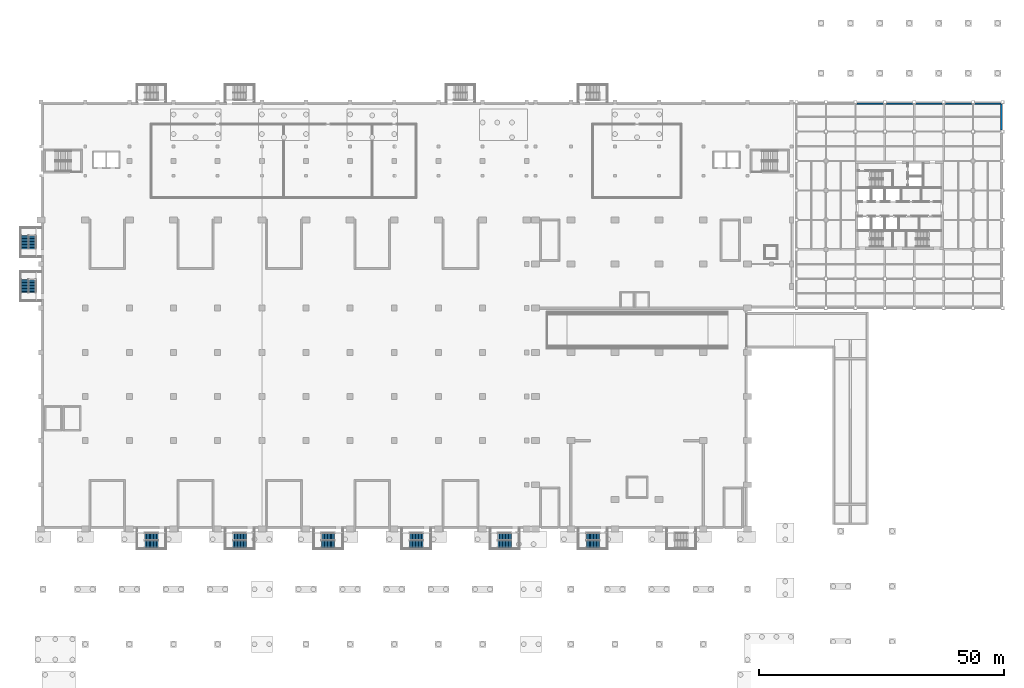
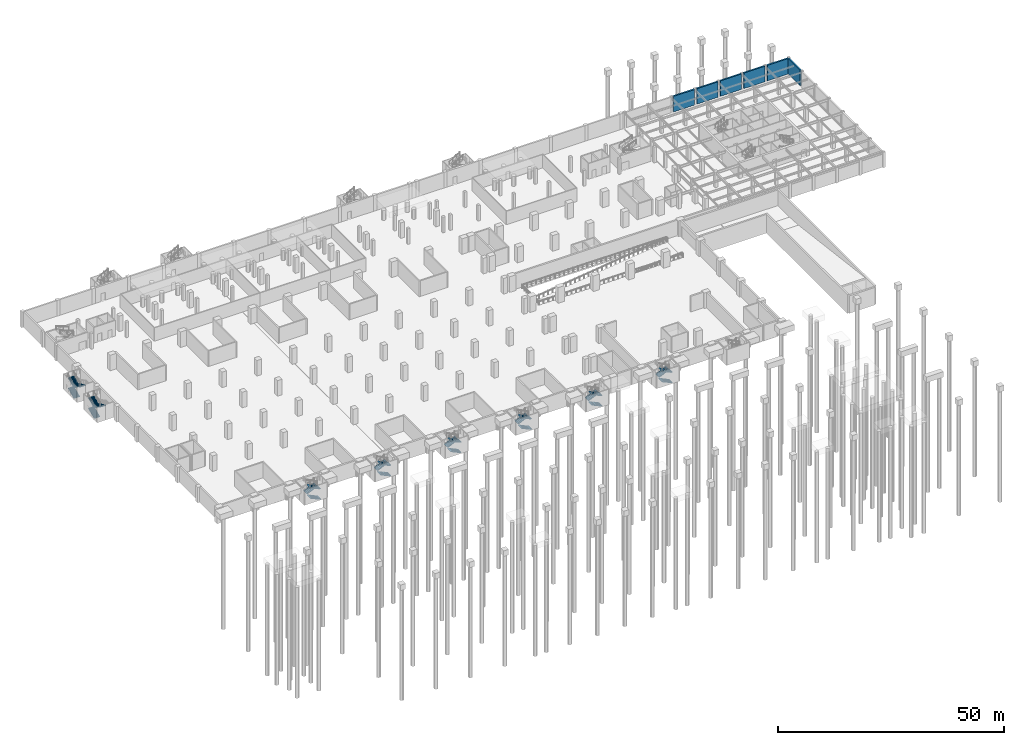
# One storey, part 20 of 27: 24 stair flights, 6 walls, 8 elements without a shape of their own.
"""IFC4 building model written with IfcOpenShell, lengths in metres."""

from ifc_helpers import new_model, si_unit, direction, frame, frame_2d, origin, place, context, subcontext, project, spatial, polyline, rectangle, outline, extrude, material, layer, layer_set, type_object, element, aggregate, save


model = new_model("IFC4")

# Units and contexts
model_context = context("Model", 3, precision=1e-05, world=origin(), true_north=direction((0.0, 1.0)))
body_context = subcontext(model_context, "Body", "Model", "MODEL_VIEW")
ifc_project = project(units=[si_unit("LENGTHUNIT", "METRE"), si_unit("AREAUNIT", "SQUARE_METRE"), si_unit("VOLUMEUNIT", "CUBIC_METRE"), si_unit("PLANEANGLEUNIT", "RADIAN"), si_unit("MASSUNIT", "GRAM", prefix="KILO")], contexts=[model_context])

# Site, building, storey
site_placement = place(None, origin())
site = spatial("IfcSite", under=ifc_project, at=site_placement, CompositionType="ELEMENT")
building_placement = place(site_placement, origin())
building = spatial("IfcBuilding", under=site, at=building_placement, Name="Aravalli Gate Trade Fair Centre", CompositionType="ELEMENT")
storey_placement = place(building_placement, frame((0.0, 0.0, -4.199951171875)))
storey = spatial("IfcBuildingStorey", under=building, at=storey_placement, Name="B1", CompositionType="ELEMENT", Elevation=-4.199951171875)

# Walls
ifc_material = material(Name="Concrete M40", Category="concrete")
ifc_layer = layer(ifc_material, 0.39990234375)
ifc_layer_set = layer_set([ifc_layer], Name="Concrete M40")
wall_type = type_object("IfcWallType", Name="Basement retaining wall 400", PredefinedType="SOLIDWALL", material=ifc_layer_set)
wall_placement = place(storey_placement, frame((201.800048828125, 127.300048828125, 0.0), z_axis=(0.0, 0.0, 1.0), x_axis=(0.0, 1.0, 0.0)))
element("IfcWall", 1, at=wall_placement, inside=storey, type_object=wall_type, Name="Retaining wall E207 B1", PredefinedType="SOLIDWALL", context=body_context, shape_type="SweptSolid", body=[
    extrude(rectangle(XDim=5.300048828125, YDim=0.39990234375, at=frame_2d((2.64990234375, 0.0))), origin(), (0.0, 0.0, 1.0), 4.199951171875),
])
for number, where, z_axis, x_axis, name in (
    (2, (172.300048828125, 132.800048828125, 0.0), (0.0, 0.0, 1.0), (1.0, 0.0, 0.0), "Retaining wall N21 B1"),
    (3, (178.300048828125, 132.800048828125, 0.0), (0.0, 0.0, 1.0), (1.0, 0.0, 0.0), "Retaining wall N22 B1"),
    (4, (184.300048828125, 132.800048828125, 0.0), (0.0, 0.0, 1.0), (1.0, 0.0, 0.0), "Retaining wall N23 B1"),
    (5, (190.300048828125, 132.800048828125, 0.0), (0.0, 0.0, 1.0), (1.0, 0.0, 0.0), "Retaining wall N24 B1"),
    (6, (196.300048828125, 132.800048828125, 0.0), (0.0, 0.0, 1.0), (1.0, 0.0, 0.0), "Retaining wall N25 B1"),
):
    element("IfcWall", number, at=place(storey_placement, frame(where, z_axis=z_axis, x_axis=x_axis)), inside=storey, type_object=wall_type, Name=name, PredefinedType="SOLIDWALL", context=body_context, shape_type="SweptSolid", body=[
        extrude(rectangle(XDim=5.39990234375, YDim=0.39990234375, at=frame_2d((2.699951171875, 0.0))), origin(), (0.0, 0.0, 1.0), 4.199951171875),
    ])

# Stair, stair flights
stair_type = type_object("IfcStairType", Name="Basement exit stair 1500", PredefinedType="HALF_TURN_STAIR", material=ifc_material)
stair_1_placement = place(storey_placement, origin())
stair_1 = element("IfcStair", 7, at=stair_1_placement, inside=storey, type_object=stair_type, Name="Basement exit stair W1 B1 to L00", PredefinedType="HALF_TURN_STAIR")
stair_flight_type = type_object("IfcStairFlightType", Name="Basement exit stair flight 1500", PredefinedType="STRAIGHT", material=ifc_material)
stair_flight_1_placement = place(storey_placement, frame((2.699951171875, 94.14990234375, 0.0), z_axis=(0.0, 0.0, 1.0), x_axis=(0.0, 1.0, 0.0)))
stair_flight_1 = element("IfcStairFlight", 8, at=stair_flight_1_placement, type_object=stair_flight_type, Name="BS1 flight 1", NumberOfRisers=10, NumberOfTreads=9, PredefinedType="STRAIGHT", RiserHeight=0.14, TreadLength=0.3, context=body_context, shape_type="SweptSolid", body=[
    extrude(outline(polyline([(0.0, 0.0), (0.0, 0.139892578125), (0.300048828125, 0.139892578125), (0.300048828125, 0.280029296875), (0.60009765625, 0.280029296875), (0.60009765625, 0.419921875), (0.89990234375, 0.419921875), (0.89990234375, 0.56005859375), (1.199951171875, 0.56005859375), (1.199951171875, 0.699951171875), (1.5, 0.699951171875), (1.5, 0.840087890625), (1.800048828125, 0.840087890625), (1.800048828125, 0.97998046875), (2.10009765625, 0.97998046875), (2.10009765625, 1.1201171875), (2.39990234375, 1.1201171875), (2.39990234375, 1.260009765625), (2.699951171875, 1.260009765625), (2.699951171875, 1.39990234375), (2.699951171875, 1.094482421875), (0.3544921875, 0.0), (0.0, 0.0)])), frame((0.0, 0.75, 0.0), z_axis=(0.0, -1.0, 0.0), x_axis=(1.0, 0.0, 0.0)), (0.0, 0.0, 1.0), 1.5),
])
stair_flight_2_placement = place(storey_placement, frame((4.199951171875, 96.85009765625, 1.39990234375), z_axis=(0.0, 0.0, 1.0), x_axis=(0.0, -1.0, 0.0)))
stair_flight_2 = element("IfcStairFlight", 9, at=stair_flight_2_placement, type_object=stair_flight_type, Name="BS1 flight 2", NumberOfRisers=10, NumberOfTreads=9, PredefinedType="STRAIGHT", RiserHeight=0.14, TreadLength=0.3, context=body_context, shape_type="SweptSolid", body=[
    extrude(outline(polyline([(0.0, 0.0), (0.0, 0.139892578125), (0.300048828125, 0.139892578125), (0.300048828125, 0.280029296875), (0.60009765625, 0.280029296875), (0.60009765625, 0.419921875), (0.89990234375, 0.419921875), (0.89990234375, 0.56005859375), (1.199951171875, 0.56005859375), (1.199951171875, 0.699951171875), (1.5, 0.699951171875), (1.5, 0.840087890625), (1.800048828125, 0.840087890625), (1.800048828125, 0.97998046875), (2.10009765625, 0.97998046875), (2.10009765625, 1.1201171875), (2.39990234375, 1.1201171875), (2.39990234375, 1.260009765625), (2.699951171875, 1.260009765625), (2.699951171875, 1.39990234375), (2.699951171875, 1.094482421875), (0.3544921875, 0.0), (0.0, 0.0)])), frame((0.0, 0.75, 0.0), z_axis=(0.0, -1.0, 0.0), x_axis=(1.0, 0.0, 0.0)), (0.0, 0.0, 1.0), 1.5),
])
stair_flight_3_placement = place(storey_placement, frame((2.699951171875, 94.14990234375, 2.800048828125), z_axis=(0.0, 0.0, 1.0), x_axis=(0.0, 1.0, 0.0)))
stair_flight_3 = element("IfcStairFlight", 10, at=stair_flight_3_placement, type_object=stair_flight_type, Name="BS1 flight 3", NumberOfRisers=10, NumberOfTreads=9, PredefinedType="STRAIGHT", RiserHeight=0.14, TreadLength=0.3, context=body_context, shape_type="SweptSolid", body=[
    extrude(outline(polyline([(0.0, 0.0), (0.0, 0.139892578125), (0.300048828125, 0.139892578125), (0.300048828125, 0.280029296875), (0.60009765625, 0.280029296875), (0.60009765625, 0.419921875), (0.89990234375, 0.419921875), (0.89990234375, 0.56005859375), (1.199951171875, 0.56005859375), (1.199951171875, 0.699951171875), (1.5, 0.699951171875), (1.5, 0.840087890625), (1.800048828125, 0.840087890625), (1.800048828125, 0.97998046875), (2.10009765625, 0.97998046875), (2.10009765625, 1.1201171875), (2.39990234375, 1.1201171875), (2.39990234375, 1.260009765625), (2.699951171875, 1.260009765625), (2.699951171875, 1.39990234375), (2.699951171875, 1.094482421875), (0.3544921875, 0.0), (0.0, 0.0)])), frame((0.0, 0.75, 0.0), z_axis=(0.0, -1.0, 0.0), x_axis=(1.0, 0.0, 0.0)), (0.0, 0.0, 1.0), 1.5),
])
aggregate(stair_1, [stair_flight_1, stair_flight_2, stair_flight_3])

stair_2_placement = place(storey_placement, origin())
stair_2 = element("IfcStair", 11, at=stair_2_placement, inside=storey, type_object=stair_type, Name="Basement exit stair W2 B1 to L00", PredefinedType="HALF_TURN_STAIR")
stair_flight_4_placement = place(storey_placement, frame((2.699951171875, 103.10009765625, 0.0), z_axis=(0.0, 0.0, 1.0), x_axis=(0.0, 1.0, 0.0)))
stair_flight_4 = element("IfcStairFlight", 12, at=stair_flight_4_placement, type_object=stair_flight_type, Name="BS1 flight 1", NumberOfRisers=10, NumberOfTreads=9, PredefinedType="STRAIGHT", RiserHeight=0.14, TreadLength=0.3, context=body_context, shape_type="SweptSolid", body=[
    extrude(outline(polyline([(0.0, 0.0), (0.0, 0.139892578125), (0.300048828125, 0.139892578125), (0.300048828125, 0.280029296875), (0.60009765625, 0.280029296875), (0.60009765625, 0.419921875), (0.89990234375, 0.419921875), (0.89990234375, 0.56005859375), (1.199951171875, 0.56005859375), (1.199951171875, 0.699951171875), (1.5, 0.699951171875), (1.5, 0.840087890625), (1.800048828125, 0.840087890625), (1.800048828125, 0.97998046875), (2.10009765625, 0.97998046875), (2.10009765625, 1.1201171875), (2.39990234375, 1.1201171875), (2.39990234375, 1.260009765625), (2.699951171875, 1.260009765625), (2.699951171875, 1.39990234375), (2.699951171875, 1.094482421875), (0.3544921875, 0.0), (0.0, 0.0)])), frame((0.0, 0.75, 0.0), z_axis=(0.0, -1.0, 0.0), x_axis=(1.0, 0.0, 0.0)), (0.0, 0.0, 1.0), 1.5),
])
stair_flight_5_placement = place(storey_placement, frame((4.199951171875, 105.800048828125, 1.39990234375), z_axis=(0.0, 0.0, 1.0), x_axis=(0.0, -1.0, 0.0)))
stair_flight_5 = element("IfcStairFlight", 13, at=stair_flight_5_placement, type_object=stair_flight_type, Name="BS1 flight 2", NumberOfRisers=10, NumberOfTreads=9, PredefinedType="STRAIGHT", RiserHeight=0.14, TreadLength=0.3, context=body_context, shape_type="SweptSolid", body=[
    extrude(outline(polyline([(0.0, 0.0), (0.0, 0.139892578125), (0.300048828125, 0.139892578125), (0.300048828125, 0.280029296875), (0.60009765625, 0.280029296875), (0.60009765625, 0.419921875), (0.89990234375, 0.419921875), (0.89990234375, 0.56005859375), (1.199951171875, 0.56005859375), (1.199951171875, 0.699951171875), (1.5, 0.699951171875), (1.5, 0.840087890625), (1.800048828125, 0.840087890625), (1.800048828125, 0.97998046875), (2.10009765625, 0.97998046875), (2.10009765625, 1.1201171875), (2.39990234375, 1.1201171875), (2.39990234375, 1.260009765625), (2.699951171875, 1.260009765625), (2.699951171875, 1.39990234375), (2.699951171875, 1.094482421875), (0.3544921875, 0.0), (0.0, 0.0)])), frame((0.0, 0.75, 0.0), z_axis=(0.0, -1.0, 0.0), x_axis=(1.0, 0.0, 0.0)), (0.0, 0.0, 1.0), 1.5),
])
stair_flight_6_placement = place(storey_placement, frame((2.699951171875, 103.10009765625, 2.800048828125), z_axis=(0.0, 0.0, 1.0), x_axis=(0.0, 1.0, 0.0)))
stair_flight_6 = element("IfcStairFlight", 14, at=stair_flight_6_placement, type_object=stair_flight_type, Name="BS1 flight 3", NumberOfRisers=10, NumberOfTreads=9, PredefinedType="STRAIGHT", RiserHeight=0.14, TreadLength=0.3, context=body_context, shape_type="SweptSolid", body=[
    extrude(outline(polyline([(0.0, 0.0), (0.0, 0.139892578125), (0.300048828125, 0.139892578125), (0.300048828125, 0.280029296875), (0.60009765625, 0.280029296875), (0.60009765625, 0.419921875), (0.89990234375, 0.419921875), (0.89990234375, 0.56005859375), (1.199951171875, 0.56005859375), (1.199951171875, 0.699951171875), (1.5, 0.699951171875), (1.5, 0.840087890625), (1.800048828125, 0.840087890625), (1.800048828125, 0.97998046875), (2.10009765625, 0.97998046875), (2.10009765625, 1.1201171875), (2.39990234375, 1.1201171875), (2.39990234375, 1.260009765625), (2.699951171875, 1.260009765625), (2.699951171875, 1.39990234375), (2.699951171875, 1.094482421875), (0.3544921875, 0.0), (0.0, 0.0)])), frame((0.0, 0.75, 0.0), z_axis=(0.0, -1.0, 0.0), x_axis=(1.0, 0.0, 0.0)), (0.0, 0.0, 1.0), 1.5),
])
aggregate(stair_2, [stair_flight_4, stair_flight_5, stair_flight_6])

stair_3_placement = place(storey_placement, origin())
stair_3 = element("IfcStair", 15, at=stair_3_placement, inside=storey, type_object=stair_type, Name="Basement exit stair S1 B1 to L00", PredefinedType="HALF_TURN_STAIR")
stair_flight_7_placement = place(storey_placement, frame((29.85009765625, 42.89990234375, 0.0), z_axis=(0.0, 0.0, 1.0), x_axis=(-1.0, 0.0, 0.0)))
stair_flight_7 = element("IfcStairFlight", 16, at=stair_flight_7_placement, type_object=stair_flight_type, Name="BS1 flight 1", NumberOfRisers=10, NumberOfTreads=9, PredefinedType="STRAIGHT", RiserHeight=0.14, TreadLength=0.3, context=body_context, shape_type="SweptSolid", body=[
    extrude(outline(polyline([(0.0, 0.0), (0.0, 0.139892578125), (0.300048828125, 0.139892578125), (0.300048828125, 0.280029296875), (0.60009765625, 0.280029296875), (0.60009765625, 0.419921875), (0.89990234375, 0.419921875), (0.89990234375, 0.56005859375), (1.199951171875, 0.56005859375), (1.199951171875, 0.699951171875), (1.5, 0.699951171875), (1.5, 0.840087890625), (1.800048828125, 0.840087890625), (1.800048828125, 0.97998046875), (2.10009765625, 0.97998046875), (2.10009765625, 1.1201171875), (2.39990234375, 1.1201171875), (2.39990234375, 1.260009765625), (2.699951171875, 1.260009765625), (2.699951171875, 1.39990234375), (2.699951171875, 1.094482421875), (0.3544921875, 0.0), (0.0, 0.0)])), frame((0.0, 0.75, 0.0), z_axis=(0.0, -1.0, 0.0), x_axis=(1.0, 0.0, 0.0)), (0.0, 0.0, 1.0), 1.5),
])
stair_flight_8_placement = place(storey_placement, frame((27.14990234375, 44.39990234375, 1.39990234375), z_axis=(0.0, 0.0, 1.0), x_axis=(1.0, 0.0, 0.0)))
stair_flight_8 = element("IfcStairFlight", 17, at=stair_flight_8_placement, type_object=stair_flight_type, Name="BS1 flight 2", NumberOfRisers=10, NumberOfTreads=9, PredefinedType="STRAIGHT", RiserHeight=0.14, TreadLength=0.3, context=body_context, shape_type="SweptSolid", body=[
    extrude(outline(polyline([(0.0, 0.0), (0.0, 0.139892578125), (0.300048828125, 0.139892578125), (0.300048828125, 0.280029296875), (0.60009765625, 0.280029296875), (0.60009765625, 0.419921875), (0.89990234375, 0.419921875), (0.89990234375, 0.56005859375), (1.199951171875, 0.56005859375), (1.199951171875, 0.699951171875), (1.5, 0.699951171875), (1.5, 0.840087890625), (1.800048828125, 0.840087890625), (1.800048828125, 0.97998046875), (2.10009765625, 0.97998046875), (2.10009765625, 1.1201171875), (2.39990234375, 1.1201171875), (2.39990234375, 1.260009765625), (2.699951171875, 1.260009765625), (2.699951171875, 1.39990234375), (2.699951171875, 1.094482421875), (0.3544921875, 0.0), (0.0, 0.0)])), frame((0.0, 0.75, 0.0), z_axis=(0.0, -1.0, 0.0), x_axis=(1.0, 0.0, 0.0)), (0.0, 0.0, 1.0), 1.5),
])
stair_flight_9_placement = place(storey_placement, frame((29.85009765625, 42.89990234375, 2.800048828125), z_axis=(0.0, 0.0, 1.0), x_axis=(-1.0, 0.0, 0.0)))
stair_flight_9 = element("IfcStairFlight", 18, at=stair_flight_9_placement, type_object=stair_flight_type, Name="BS1 flight 3", NumberOfRisers=10, NumberOfTreads=9, PredefinedType="STRAIGHT", RiserHeight=0.14, TreadLength=0.3, context=body_context, shape_type="SweptSolid", body=[
    extrude(outline(polyline([(0.0, 0.0), (0.0, 0.139892578125), (0.300048828125, 0.139892578125), (0.300048828125, 0.280029296875), (0.60009765625, 0.280029296875), (0.60009765625, 0.419921875), (0.89990234375, 0.419921875), (0.89990234375, 0.56005859375), (1.199951171875, 0.56005859375), (1.199951171875, 0.699951171875), (1.5, 0.699951171875), (1.5, 0.840087890625), (1.800048828125, 0.840087890625), (1.800048828125, 0.97998046875), (2.10009765625, 0.97998046875), (2.10009765625, 1.1201171875), (2.39990234375, 1.1201171875), (2.39990234375, 1.260009765625), (2.699951171875, 1.260009765625), (2.699951171875, 1.39990234375), (2.699951171875, 1.094482421875), (0.3544921875, 0.0), (0.0, 0.0)])), frame((0.0, 0.75, 0.0), z_axis=(0.0, -1.0, 0.0), x_axis=(1.0, 0.0, 0.0)), (0.0, 0.0, 1.0), 1.5),
])
aggregate(stair_3, [stair_flight_7, stair_flight_8, stair_flight_9])

stair_4_placement = place(storey_placement, origin())
stair_4 = element("IfcStair", 19, at=stair_4_placement, inside=storey, type_object=stair_type, Name="Basement exit stair S2 B1 to L00", PredefinedType="HALF_TURN_STAIR")
stair_flight_10_placement = place(storey_placement, frame((47.85009765625, 42.89990234375, 0.0), z_axis=(0.0, 0.0, 1.0), x_axis=(-1.0, 0.0, 0.0)))
stair_flight_10 = element("IfcStairFlight", 20, at=stair_flight_10_placement, type_object=stair_flight_type, Name="BS1 flight 1", NumberOfRisers=10, NumberOfTreads=9, PredefinedType="STRAIGHT", RiserHeight=0.14, TreadLength=0.3, context=body_context, shape_type="SweptSolid", body=[
    extrude(outline(polyline([(0.0, 0.0), (0.0, 0.139892578125), (0.300048828125, 0.139892578125), (0.300048828125, 0.280029296875), (0.60009765625, 0.280029296875), (0.60009765625, 0.419921875), (0.89990234375, 0.419921875), (0.89990234375, 0.56005859375), (1.199951171875, 0.56005859375), (1.199951171875, 0.699951171875), (1.5, 0.699951171875), (1.5, 0.840087890625), (1.800048828125, 0.840087890625), (1.800048828125, 0.97998046875), (2.10009765625, 0.97998046875), (2.10009765625, 1.1201171875), (2.39990234375, 1.1201171875), (2.39990234375, 1.260009765625), (2.699951171875, 1.260009765625), (2.699951171875, 1.39990234375), (2.699951171875, 1.094482421875), (0.3544921875, 0.0), (0.0, 0.0)])), frame((0.0, 0.75, 0.0), z_axis=(0.0, -1.0, 0.0), x_axis=(1.0, 0.0, 0.0)), (0.0, 0.0, 1.0), 1.5),
])
stair_flight_11_placement = place(storey_placement, frame((45.14990234375, 44.39990234375, 1.39990234375), z_axis=(0.0, 0.0, 1.0), x_axis=(1.0, 0.0, 0.0)))
stair_flight_11 = element("IfcStairFlight", 21, at=stair_flight_11_placement, type_object=stair_flight_type, Name="BS1 flight 2", NumberOfRisers=10, NumberOfTreads=9, PredefinedType="STRAIGHT", RiserHeight=0.14, TreadLength=0.3, context=body_context, shape_type="SweptSolid", body=[
    extrude(outline(polyline([(0.0, 0.0), (0.0, 0.139892578125), (0.300048828125, 0.139892578125), (0.300048828125, 0.280029296875), (0.60009765625, 0.280029296875), (0.60009765625, 0.419921875), (0.89990234375, 0.419921875), (0.89990234375, 0.56005859375), (1.199951171875, 0.56005859375), (1.199951171875, 0.699951171875), (1.5, 0.699951171875), (1.5, 0.840087890625), (1.800048828125, 0.840087890625), (1.800048828125, 0.97998046875), (2.10009765625, 0.97998046875), (2.10009765625, 1.1201171875), (2.39990234375, 1.1201171875), (2.39990234375, 1.260009765625), (2.699951171875, 1.260009765625), (2.699951171875, 1.39990234375), (2.699951171875, 1.094482421875), (0.3544921875, 0.0), (0.0, 0.0)])), frame((0.0, 0.75, 0.0), z_axis=(0.0, -1.0, 0.0), x_axis=(1.0, 0.0, 0.0)), (0.0, 0.0, 1.0), 1.5),
])
stair_flight_12_placement = place(storey_placement, frame((47.85009765625, 42.89990234375, 2.800048828125), z_axis=(0.0, 0.0, 1.0), x_axis=(-1.0, 0.0, 0.0)))
stair_flight_12 = element("IfcStairFlight", 22, at=stair_flight_12_placement, type_object=stair_flight_type, Name="BS1 flight 3", NumberOfRisers=10, NumberOfTreads=9, PredefinedType="STRAIGHT", RiserHeight=0.14, TreadLength=0.3, context=body_context, shape_type="SweptSolid", body=[
    extrude(outline(polyline([(0.0, 0.0), (0.0, 0.139892578125), (0.300048828125, 0.139892578125), (0.300048828125, 0.280029296875), (0.60009765625, 0.280029296875), (0.60009765625, 0.419921875), (0.89990234375, 0.419921875), (0.89990234375, 0.56005859375), (1.199951171875, 0.56005859375), (1.199951171875, 0.699951171875), (1.5, 0.699951171875), (1.5, 0.840087890625), (1.800048828125, 0.840087890625), (1.800048828125, 0.97998046875), (2.10009765625, 0.97998046875), (2.10009765625, 1.1201171875), (2.39990234375, 1.1201171875), (2.39990234375, 1.260009765625), (2.699951171875, 1.260009765625), (2.699951171875, 1.39990234375), (2.699951171875, 1.094482421875), (0.3544921875, 0.0), (0.0, 0.0)])), frame((0.0, 0.75, 0.0), z_axis=(0.0, -1.0, 0.0), x_axis=(1.0, 0.0, 0.0)), (0.0, 0.0, 1.0), 1.5),
])
aggregate(stair_4, [stair_flight_10, stair_flight_11, stair_flight_12])

stair_5_placement = place(storey_placement, origin())
stair_5 = element("IfcStair", 23, at=stair_5_placement, inside=storey, type_object=stair_type, Name="Basement exit stair S3 B1 to L00", PredefinedType="HALF_TURN_STAIR")
stair_flight_13_placement = place(storey_placement, frame((65.85009765625, 42.89990234375, 0.0), z_axis=(0.0, 0.0, 1.0), x_axis=(-1.0, 0.0, 0.0)))
stair_flight_13 = element("IfcStairFlight", 24, at=stair_flight_13_placement, type_object=stair_flight_type, Name="BS1 flight 1", NumberOfRisers=10, NumberOfTreads=9, PredefinedType="STRAIGHT", RiserHeight=0.14, TreadLength=0.3, context=body_context, shape_type="SweptSolid", body=[
    extrude(outline(polyline([(0.0, 0.0), (0.0, 0.139892578125), (0.300048828125, 0.139892578125), (0.300048828125, 0.280029296875), (0.60009765625, 0.280029296875), (0.60009765625, 0.419921875), (0.89990234375, 0.419921875), (0.89990234375, 0.56005859375), (1.199951171875, 0.56005859375), (1.199951171875, 0.699951171875), (1.5, 0.699951171875), (1.5, 0.840087890625), (1.800048828125, 0.840087890625), (1.800048828125, 0.97998046875), (2.10009765625, 0.97998046875), (2.10009765625, 1.1201171875), (2.39990234375, 1.1201171875), (2.39990234375, 1.260009765625), (2.699951171875, 1.260009765625), (2.699951171875, 1.39990234375), (2.699951171875, 1.094482421875), (0.3544921875, 0.0), (0.0, 0.0)])), frame((0.0, 0.75, 0.0), z_axis=(0.0, -1.0, 0.0), x_axis=(1.0, 0.0, 0.0)), (0.0, 0.0, 1.0), 1.5),
])
stair_flight_14_placement = place(storey_placement, frame((63.14990234375, 44.39990234375, 1.39990234375), z_axis=(0.0, 0.0, 1.0), x_axis=(1.0, 0.0, 0.0)))
stair_flight_14 = element("IfcStairFlight", 25, at=stair_flight_14_placement, type_object=stair_flight_type, Name="BS1 flight 2", NumberOfRisers=10, NumberOfTreads=9, PredefinedType="STRAIGHT", RiserHeight=0.14, TreadLength=0.3, context=body_context, shape_type="SweptSolid", body=[
    extrude(outline(polyline([(0.0, 0.0), (0.0, 0.139892578125), (0.300048828125, 0.139892578125), (0.300048828125, 0.280029296875), (0.60009765625, 0.280029296875), (0.60009765625, 0.419921875), (0.89990234375, 0.419921875), (0.89990234375, 0.56005859375), (1.199951171875, 0.56005859375), (1.199951171875, 0.699951171875), (1.5, 0.699951171875), (1.5, 0.840087890625), (1.800048828125, 0.840087890625), (1.800048828125, 0.97998046875), (2.10009765625, 0.97998046875), (2.10009765625, 1.1201171875), (2.39990234375, 1.1201171875), (2.39990234375, 1.260009765625), (2.699951171875, 1.260009765625), (2.699951171875, 1.39990234375), (2.699951171875, 1.094482421875), (0.3544921875, 0.0), (0.0, 0.0)])), frame((0.0, 0.75, 0.0), z_axis=(0.0, -1.0, 0.0), x_axis=(1.0, 0.0, 0.0)), (0.0, 0.0, 1.0), 1.5),
])
stair_flight_15_placement = place(storey_placement, frame((65.85009765625, 42.89990234375, 2.800048828125), z_axis=(0.0, 0.0, 1.0), x_axis=(-1.0, 0.0, 0.0)))
stair_flight_15 = element("IfcStairFlight", 26, at=stair_flight_15_placement, type_object=stair_flight_type, Name="BS1 flight 3", NumberOfRisers=10, NumberOfTreads=9, PredefinedType="STRAIGHT", RiserHeight=0.14, TreadLength=0.3, context=body_context, shape_type="SweptSolid", body=[
    extrude(outline(polyline([(0.0, 0.0), (0.0, 0.139892578125), (0.300048828125, 0.139892578125), (0.300048828125, 0.280029296875), (0.60009765625, 0.280029296875), (0.60009765625, 0.419921875), (0.89990234375, 0.419921875), (0.89990234375, 0.56005859375), (1.199951171875, 0.56005859375), (1.199951171875, 0.699951171875), (1.5, 0.699951171875), (1.5, 0.840087890625), (1.800048828125, 0.840087890625), (1.800048828125, 0.97998046875), (2.10009765625, 0.97998046875), (2.10009765625, 1.1201171875), (2.39990234375, 1.1201171875), (2.39990234375, 1.260009765625), (2.699951171875, 1.260009765625), (2.699951171875, 1.39990234375), (2.699951171875, 1.094482421875), (0.3544921875, 0.0), (0.0, 0.0)])), frame((0.0, 0.75, 0.0), z_axis=(0.0, -1.0, 0.0), x_axis=(1.0, 0.0, 0.0)), (0.0, 0.0, 1.0), 1.5),
])
aggregate(stair_5, [stair_flight_13, stair_flight_14, stair_flight_15])

stair_6_placement = place(storey_placement, origin())
stair_6 = element("IfcStair", 27, at=stair_6_placement, inside=storey, type_object=stair_type, Name="Basement exit stair S4 B1 to L00", PredefinedType="HALF_TURN_STAIR")
stair_flight_16_placement = place(storey_placement, frame((83.85009765625, 42.89990234375, 0.0), z_axis=(0.0, 0.0, 1.0), x_axis=(-1.0, 0.0, 0.0)))
stair_flight_16 = element("IfcStairFlight", 28, at=stair_flight_16_placement, type_object=stair_flight_type, Name="BS1 flight 1", NumberOfRisers=10, NumberOfTreads=9, PredefinedType="STRAIGHT", RiserHeight=0.14, TreadLength=0.3, context=body_context, shape_type="SweptSolid", body=[
    extrude(outline(polyline([(0.0, 0.0), (0.0, 0.139892578125), (0.300048828125, 0.139892578125), (0.300048828125, 0.280029296875), (0.60009765625, 0.280029296875), (0.60009765625, 0.419921875), (0.89990234375, 0.419921875), (0.89990234375, 0.56005859375), (1.199951171875, 0.56005859375), (1.199951171875, 0.699951171875), (1.5, 0.699951171875), (1.5, 0.840087890625), (1.800048828125, 0.840087890625), (1.800048828125, 0.97998046875), (2.10009765625, 0.97998046875), (2.10009765625, 1.1201171875), (2.39990234375, 1.1201171875), (2.39990234375, 1.260009765625), (2.699951171875, 1.260009765625), (2.699951171875, 1.39990234375), (2.699951171875, 1.094482421875), (0.3544921875, 0.0), (0.0, 0.0)])), frame((0.0, 0.75, 0.0), z_axis=(0.0, -1.0, 0.0), x_axis=(1.0, 0.0, 0.0)), (0.0, 0.0, 1.0), 1.5),
])
stair_flight_17_placement = place(storey_placement, frame((81.14990234375, 44.39990234375, 1.39990234375), z_axis=(0.0, 0.0, 1.0), x_axis=(1.0, 0.0, 0.0)))
stair_flight_17 = element("IfcStairFlight", 29, at=stair_flight_17_placement, type_object=stair_flight_type, Name="BS1 flight 2", NumberOfRisers=10, NumberOfTreads=9, PredefinedType="STRAIGHT", RiserHeight=0.14, TreadLength=0.3, context=body_context, shape_type="SweptSolid", body=[
    extrude(outline(polyline([(0.0, 0.0), (0.0, 0.139892578125), (0.300048828125, 0.139892578125), (0.300048828125, 0.280029296875), (0.60009765625, 0.280029296875), (0.60009765625, 0.419921875), (0.89990234375, 0.419921875), (0.89990234375, 0.56005859375), (1.199951171875, 0.56005859375), (1.199951171875, 0.699951171875), (1.5, 0.699951171875), (1.5, 0.840087890625), (1.800048828125, 0.840087890625), (1.800048828125, 0.97998046875), (2.10009765625, 0.97998046875), (2.10009765625, 1.1201171875), (2.39990234375, 1.1201171875), (2.39990234375, 1.260009765625), (2.699951171875, 1.260009765625), (2.699951171875, 1.39990234375), (2.699951171875, 1.094482421875), (0.3544921875, 0.0), (0.0, 0.0)])), frame((0.0, 0.75, 0.0), z_axis=(0.0, -1.0, 0.0), x_axis=(1.0, 0.0, 0.0)), (0.0, 0.0, 1.0), 1.5),
])
stair_flight_18_placement = place(storey_placement, frame((83.85009765625, 42.89990234375, 2.800048828125), z_axis=(0.0, 0.0, 1.0), x_axis=(-1.0, 0.0, 0.0)))
stair_flight_18 = element("IfcStairFlight", 30, at=stair_flight_18_placement, type_object=stair_flight_type, Name="BS1 flight 3", NumberOfRisers=10, NumberOfTreads=9, PredefinedType="STRAIGHT", RiserHeight=0.14, TreadLength=0.3, context=body_context, shape_type="SweptSolid", body=[
    extrude(outline(polyline([(0.0, 0.0), (0.0, 0.139892578125), (0.300048828125, 0.139892578125), (0.300048828125, 0.280029296875), (0.60009765625, 0.280029296875), (0.60009765625, 0.419921875), (0.89990234375, 0.419921875), (0.89990234375, 0.56005859375), (1.199951171875, 0.56005859375), (1.199951171875, 0.699951171875), (1.5, 0.699951171875), (1.5, 0.840087890625), (1.800048828125, 0.840087890625), (1.800048828125, 0.97998046875), (2.10009765625, 0.97998046875), (2.10009765625, 1.1201171875), (2.39990234375, 1.1201171875), (2.39990234375, 1.260009765625), (2.699951171875, 1.260009765625), (2.699951171875, 1.39990234375), (2.699951171875, 1.094482421875), (0.3544921875, 0.0), (0.0, 0.0)])), frame((0.0, 0.75, 0.0), z_axis=(0.0, -1.0, 0.0), x_axis=(1.0, 0.0, 0.0)), (0.0, 0.0, 1.0), 1.5),
])
aggregate(stair_6, [stair_flight_16, stair_flight_17, stair_flight_18])

stair_7_placement = place(storey_placement, origin())
stair_7 = element("IfcStair", 31, at=stair_7_placement, inside=storey, type_object=stair_type, Name="Basement exit stair S5 B1 to L00", PredefinedType="HALF_TURN_STAIR")
stair_flight_19_placement = place(storey_placement, frame((101.85009765625, 42.89990234375, 0.0), z_axis=(0.0, 0.0, 1.0), x_axis=(-1.0, 0.0, 0.0)))
stair_flight_19 = element("IfcStairFlight", 32, at=stair_flight_19_placement, type_object=stair_flight_type, Name="BS1 flight 1", NumberOfRisers=10, NumberOfTreads=9, PredefinedType="STRAIGHT", RiserHeight=0.14, TreadLength=0.3, context=body_context, shape_type="SweptSolid", body=[
    extrude(outline(polyline([(0.0, 0.0), (0.0, 0.139892578125), (0.300048828125, 0.139892578125), (0.300048828125, 0.280029296875), (0.60009765625, 0.280029296875), (0.60009765625, 0.419921875), (0.89990234375, 0.419921875), (0.89990234375, 0.56005859375), (1.199951171875, 0.56005859375), (1.199951171875, 0.699951171875), (1.5, 0.699951171875), (1.5, 0.840087890625), (1.800048828125, 0.840087890625), (1.800048828125, 0.97998046875), (2.10009765625, 0.97998046875), (2.10009765625, 1.1201171875), (2.39990234375, 1.1201171875), (2.39990234375, 1.260009765625), (2.699951171875, 1.260009765625), (2.699951171875, 1.39990234375), (2.699951171875, 1.094482421875), (0.3544921875, 0.0), (0.0, 0.0)])), frame((0.0, 0.75, 0.0), z_axis=(0.0, -1.0, 0.0), x_axis=(1.0, 0.0, 0.0)), (0.0, 0.0, 1.0), 1.5),
])
stair_flight_20_placement = place(storey_placement, frame((99.14990234375, 44.39990234375, 1.39990234375), z_axis=(0.0, 0.0, 1.0), x_axis=(1.0, 0.0, 0.0)))
stair_flight_20 = element("IfcStairFlight", 33, at=stair_flight_20_placement, type_object=stair_flight_type, Name="BS1 flight 2", NumberOfRisers=10, NumberOfTreads=9, PredefinedType="STRAIGHT", RiserHeight=0.14, TreadLength=0.3, context=body_context, shape_type="SweptSolid", body=[
    extrude(outline(polyline([(0.0, 0.0), (0.0, 0.139892578125), (0.300048828125, 0.139892578125), (0.300048828125, 0.280029296875), (0.60009765625, 0.280029296875), (0.60009765625, 0.419921875), (0.89990234375, 0.419921875), (0.89990234375, 0.56005859375), (1.199951171875, 0.56005859375), (1.199951171875, 0.699951171875), (1.5, 0.699951171875), (1.5, 0.840087890625), (1.800048828125, 0.840087890625), (1.800048828125, 0.97998046875), (2.10009765625, 0.97998046875), (2.10009765625, 1.1201171875), (2.39990234375, 1.1201171875), (2.39990234375, 1.260009765625), (2.699951171875, 1.260009765625), (2.699951171875, 1.39990234375), (2.699951171875, 1.094482421875), (0.3544921875, 0.0), (0.0, 0.0)])), frame((0.0, 0.75, 0.0), z_axis=(0.0, -1.0, 0.0), x_axis=(1.0, 0.0, 0.0)), (0.0, 0.0, 1.0), 1.5),
])
stair_flight_21_placement = place(storey_placement, frame((101.85009765625, 42.89990234375, 2.800048828125), z_axis=(0.0, 0.0, 1.0), x_axis=(-1.0, 0.0, 0.0)))
stair_flight_21 = element("IfcStairFlight", 34, at=stair_flight_21_placement, type_object=stair_flight_type, Name="BS1 flight 3", NumberOfRisers=10, NumberOfTreads=9, PredefinedType="STRAIGHT", RiserHeight=0.14, TreadLength=0.3, context=body_context, shape_type="SweptSolid", body=[
    extrude(outline(polyline([(0.0, 0.0), (0.0, 0.139892578125), (0.300048828125, 0.139892578125), (0.300048828125, 0.280029296875), (0.60009765625, 0.280029296875), (0.60009765625, 0.419921875), (0.89990234375, 0.419921875), (0.89990234375, 0.56005859375), (1.199951171875, 0.56005859375), (1.199951171875, 0.699951171875), (1.5, 0.699951171875), (1.5, 0.840087890625), (1.800048828125, 0.840087890625), (1.800048828125, 0.97998046875), (2.10009765625, 0.97998046875), (2.10009765625, 1.1201171875), (2.39990234375, 1.1201171875), (2.39990234375, 1.260009765625), (2.699951171875, 1.260009765625), (2.699951171875, 1.39990234375), (2.699951171875, 1.094482421875), (0.3544921875, 0.0), (0.0, 0.0)])), frame((0.0, 0.75, 0.0), z_axis=(0.0, -1.0, 0.0), x_axis=(1.0, 0.0, 0.0)), (0.0, 0.0, 1.0), 1.5),
])
aggregate(stair_7, [stair_flight_19, stair_flight_20, stair_flight_21])

stair_8_placement = place(storey_placement, origin())
stair_8 = element("IfcStair", 35, at=stair_8_placement, inside=storey, type_object=stair_type, Name="Basement exit stair S6 B1 to L00", PredefinedType="HALF_TURN_STAIR")
stair_flight_22_placement = place(storey_placement, frame((119.85009765625, 42.89990234375, 0.0), z_axis=(0.0, 0.0, 1.0), x_axis=(-1.0, 0.0, 0.0)))
stair_flight_22 = element("IfcStairFlight", 36, at=stair_flight_22_placement, type_object=stair_flight_type, Name="BS1 flight 1", NumberOfRisers=10, NumberOfTreads=9, PredefinedType="STRAIGHT", RiserHeight=0.14, TreadLength=0.3, context=body_context, shape_type="SweptSolid", body=[
    extrude(outline(polyline([(0.0, 0.0), (0.0, 0.139892578125), (0.300048828125, 0.139892578125), (0.300048828125, 0.280029296875), (0.60009765625, 0.280029296875), (0.60009765625, 0.419921875), (0.89990234375, 0.419921875), (0.89990234375, 0.56005859375), (1.199951171875, 0.56005859375), (1.199951171875, 0.699951171875), (1.5, 0.699951171875), (1.5, 0.840087890625), (1.800048828125, 0.840087890625), (1.800048828125, 0.97998046875), (2.10009765625, 0.97998046875), (2.10009765625, 1.1201171875), (2.39990234375, 1.1201171875), (2.39990234375, 1.260009765625), (2.699951171875, 1.260009765625), (2.699951171875, 1.39990234375), (2.699951171875, 1.094482421875), (0.3544921875, 0.0), (0.0, 0.0)])), frame((0.0, 0.75, 0.0), z_axis=(0.0, -1.0, 0.0), x_axis=(1.0, 0.0, 0.0)), (0.0, 0.0, 1.0), 1.5),
])
stair_flight_23_placement = place(storey_placement, frame((117.14990234375, 44.39990234375, 1.39990234375), z_axis=(0.0, 0.0, 1.0), x_axis=(1.0, 0.0, 0.0)))
stair_flight_23 = element("IfcStairFlight", 37, at=stair_flight_23_placement, type_object=stair_flight_type, Name="BS1 flight 2", NumberOfRisers=10, NumberOfTreads=9, PredefinedType="STRAIGHT", RiserHeight=0.14, TreadLength=0.3, context=body_context, shape_type="SweptSolid", body=[
    extrude(outline(polyline([(0.0, 0.0), (0.0, 0.139892578125), (0.300048828125, 0.139892578125), (0.300048828125, 0.280029296875), (0.60009765625, 0.280029296875), (0.60009765625, 0.419921875), (0.89990234375, 0.419921875), (0.89990234375, 0.56005859375), (1.199951171875, 0.56005859375), (1.199951171875, 0.699951171875), (1.5, 0.699951171875), (1.5, 0.840087890625), (1.800048828125, 0.840087890625), (1.800048828125, 0.97998046875), (2.10009765625, 0.97998046875), (2.10009765625, 1.1201171875), (2.39990234375, 1.1201171875), (2.39990234375, 1.260009765625), (2.699951171875, 1.260009765625), (2.699951171875, 1.39990234375), (2.699951171875, 1.094482421875), (0.3544921875, 0.0), (0.0, 0.0)])), frame((0.0, 0.75, 0.0), z_axis=(0.0, -1.0, 0.0), x_axis=(1.0, 0.0, 0.0)), (0.0, 0.0, 1.0), 1.5),
])
stair_flight_24_placement = place(storey_placement, frame((119.85009765625, 42.89990234375, 2.800048828125), z_axis=(0.0, 0.0, 1.0), x_axis=(-1.0, 0.0, 0.0)))
stair_flight_24 = element("IfcStairFlight", 38, at=stair_flight_24_placement, type_object=stair_flight_type, Name="BS1 flight 3", NumberOfRisers=10, NumberOfTreads=9, PredefinedType="STRAIGHT", RiserHeight=0.14, TreadLength=0.3, context=body_context, shape_type="SweptSolid", body=[
    extrude(outline(polyline([(0.0, 0.0), (0.0, 0.139892578125), (0.300048828125, 0.139892578125), (0.300048828125, 0.280029296875), (0.60009765625, 0.280029296875), (0.60009765625, 0.419921875), (0.89990234375, 0.419921875), (0.89990234375, 0.56005859375), (1.199951171875, 0.56005859375), (1.199951171875, 0.699951171875), (1.5, 0.699951171875), (1.5, 0.840087890625), (1.800048828125, 0.840087890625), (1.800048828125, 0.97998046875), (2.10009765625, 0.97998046875), (2.10009765625, 1.1201171875), (2.39990234375, 1.1201171875), (2.39990234375, 1.260009765625), (2.699951171875, 1.260009765625), (2.699951171875, 1.39990234375), (2.699951171875, 1.094482421875), (0.3544921875, 0.0), (0.0, 0.0)])), frame((0.0, 0.75, 0.0), z_axis=(0.0, -1.0, 0.0), x_axis=(1.0, 0.0, 0.0)), (0.0, 0.0, 1.0), 1.5),
])
aggregate(stair_8, [stair_flight_22, stair_flight_23, stair_flight_24])

save(model, "model.ifc")
